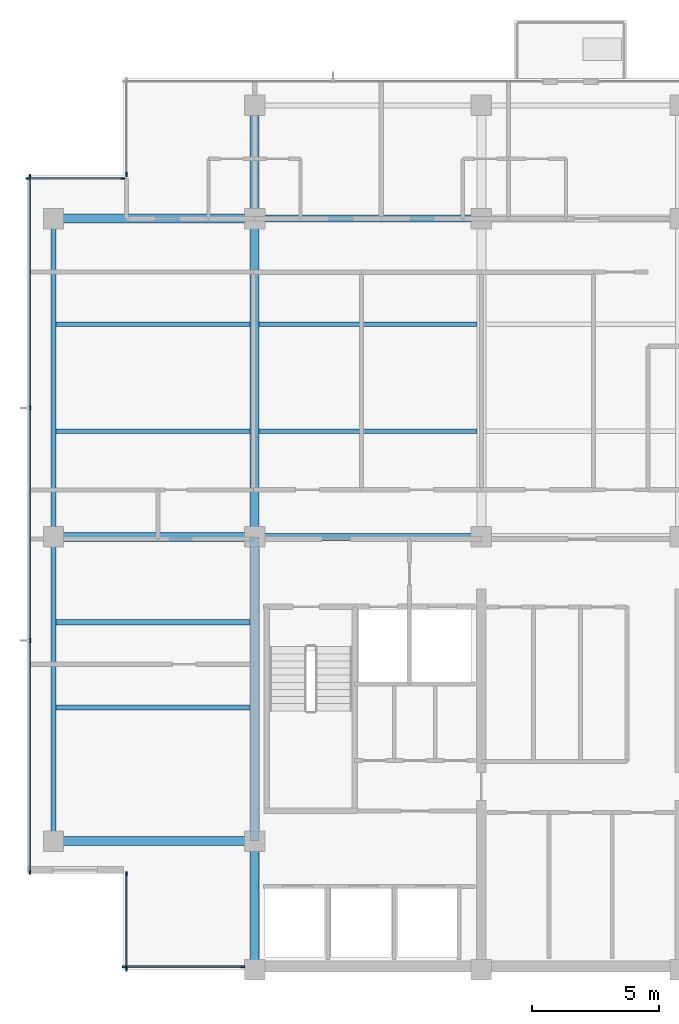
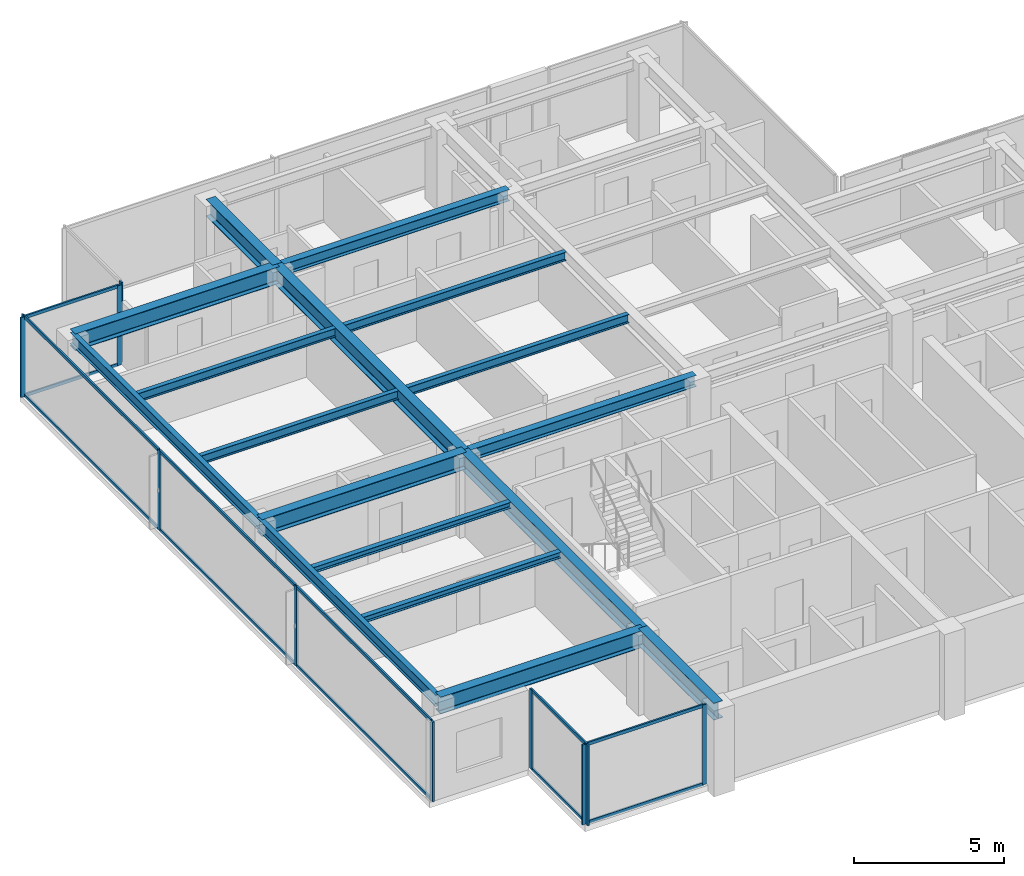
# One storey, part 2 of 12: 23 members, 17 beams, 5 elements without a shape of their own.
"""IFC4 building model written with IfcOpenShell, lengths in metres."""

from ifc_helpers import new_model, si_unit, direction, frame, origin, origin_2d, place, context, subcontext, project, spatial, rectangle, i_section, extrude, material, layer, layer_set, material_profile, profile_set, type_object, element, aggregate, save


model = new_model("IFC4")

# Units and contexts
model_context = context("Model", 3, precision=1e-05, world=origin(), true_north=direction((0.0, 1.0)))
body_context = subcontext(model_context, "Body", "Model", "MODEL_VIEW")
ifc_project = project(units=[si_unit("LENGTHUNIT", "METRE"), si_unit("AREAUNIT", "SQUARE_METRE"), si_unit("VOLUMEUNIT", "CUBIC_METRE"), si_unit("PLANEANGLEUNIT", "RADIAN"), si_unit("MASSUNIT", "GRAM", prefix="KILO")], contexts=[model_context])

# Site, building, storey
site_placement = place(None, origin())
site = spatial("IfcSite", under=ifc_project, at=site_placement, CompositionType="ELEMENT")
building_placement = place(site_placement, origin())
building = spatial("IfcBuilding", under=site, at=building_placement, Name="Qalmaran Belvedere Hotel", CompositionType="ELEMENT")
storey_placement = place(building_placement, frame((0.0, 0.0, 252.89990234375)))
storey = spatial("IfcBuildingStorey", under=building, at=storey_placement, Name="L65", CompositionType="ELEMENT", Elevation=252.89990234375)

# Beams
ifc_material_1 = material(Name="Steel S355JR", Category="steel")
ifc_material_profile_1 = material_profile(ifc_material_1, i_section(OverallWidth=0.201904296875, OverallDepth=0.2470703125, WebThickness=0.00732421875, FlangeThickness=0.010986328125, FilletRadius=0.011962890625, at=origin_2d()), Name="W250X49")
ifc_profile_set_1 = profile_set([ifc_material_profile_1], Name="Steel S355JR")
beam_type_1 = type_object("IfcBeamType", Name="BM-JST-W250X49", PredefinedType="JOIST", material=ifc_profile_set_1)
for number, where, z_axis, x_axis, name in (
    (1, (12.493896484375, 13.800048828125, 3.13671875), (1.0, 0.0, 0.0), (0.0, 1.0, 0.0), "L65 West Wing Joist 031"),
    (2, (12.493896484375, 17.14990234375, 3.13671875), (1.0, 0.0, 0.0), (0.0, 1.0, 0.0), "L65 West Wing Joist 033"),
):
    element("IfcBeam", number, at=place(storey_placement, frame(where, z_axis=z_axis, x_axis=x_axis)), inside=storey, type_object=beam_type_1, Name=name, PredefinedType="JOIST", context=body_context, shape_type="SweptSolid", body=[
        extrude(i_section(OverallWidth=0.201904296875, OverallDepth=0.2470703125, WebThickness=0.00732421875, FlangeThickness=0.010986328125, FilletRadius=0.011962890625, at=origin_2d()), origin(), (0.0, 0.0, 1.0), 7.630615234375),
    ])
ifc_material_profile_2 = material_profile(ifc_material_1, i_section(OverallWidth=0.172119140625, OverallDepth=0.35791015625, WebThickness=0.0078125, FlangeThickness=0.01318359375, FilletRadius=0.014892578125, at=origin_2d()), Name="W360X57")
ifc_profile_set_2 = profile_set([ifc_material_profile_2], Name="Steel S355JR")
beam_type_2 = type_object("IfcBeamType", Name="BM-SB4-W360X57", PredefinedType="BEAM", material=ifc_profile_set_2)
beam_1_placement = place(storey_placement, frame((12.493896484375, 24.64990234375, 3.0810546875), z_axis=(1.0, 0.0, 0.0), x_axis=(0.0, 1.0, 0.0)))
element("IfcBeam", 3, at=beam_1_placement, inside=storey, type_object=beam_type_2, Name="L65 West Secondary Beam 024", PredefinedType="BEAM", context=body_context, shape_type="SweptSolid", body=[
    extrude(i_section(OverallWidth=0.172119140625, OverallDepth=0.35791015625, WebThickness=0.0078125, FlangeThickness=0.01318359375, FilletRadius=0.014892578125, at=origin_2d()), origin(), (0.0, 0.0, 1.0), 7.630615234375),
])
beam_2_placement = place(storey_placement, frame((20.4755859375, 24.64990234375, 3.0810546875), z_axis=(1.0, 0.0, 0.0), x_axis=(0.0, 1.0, 0.0)))
element("IfcBeam", 4, at=beam_2_placement, inside=storey, type_object=beam_type_2, Name="L65 Secondary Floor Beam 025", PredefinedType="BEAM", context=body_context, shape_type="SweptSolid", body=[
    extrude(i_section(OverallWidth=0.172119140625, OverallDepth=0.35791015625, WebThickness=0.0078125, FlangeThickness=0.01318359375, FilletRadius=0.014892578125, at=origin_2d()), origin(), (0.0, 0.0, 1.0), 8.548828125),
])
beam_3_placement = place(storey_placement, frame((12.493896484375, 28.85009765625, 3.0810546875), z_axis=(1.0, 0.0, 0.0), x_axis=(0.0, 1.0, 0.0)))
element("IfcBeam", 5, at=beam_3_placement, inside=storey, type_object=beam_type_2, Name="L65 West Secondary Beam 028", PredefinedType="BEAM", context=body_context, shape_type="SweptSolid", body=[
    extrude(i_section(OverallWidth=0.172119140625, OverallDepth=0.35791015625, WebThickness=0.0078125, FlangeThickness=0.01318359375, FilletRadius=0.014892578125, at=origin_2d()), origin(), (0.0, 0.0, 1.0), 7.630615234375),
])
beam_4_placement = place(storey_placement, frame((20.4755859375, 28.85009765625, 3.0810546875), z_axis=(1.0, 0.0, 0.0), x_axis=(0.0, 1.0, 0.0)))
element("IfcBeam", 6, at=beam_4_placement, inside=storey, type_object=beam_type_2, Name="L65 Secondary Floor Beam 029", PredefinedType="BEAM", context=body_context, shape_type="SweptSolid", body=[
    extrude(i_section(OverallWidth=0.172119140625, OverallDepth=0.35791015625, WebThickness=0.0078125, FlangeThickness=0.01318359375, FilletRadius=0.014892578125, at=origin_2d()), origin(), (0.0, 0.0, 1.0), 8.548828125),
])
ifc_material_profile_3 = material_profile(ifc_material_1, i_section(OverallWidth=0.19189453125, OverallDepth=0.462890625, WebThickness=0.010498046875, FlangeThickness=0.017578125, FilletRadius=0.01611328125, at=origin_2d()), Name="W460X89")
ifc_profile_set_3 = profile_set([ifc_material_profile_3], Name="Steel S355JR")
beam_type_3 = type_object("IfcBeamType", Name="BM-SP2-W460X89", PredefinedType="SPANDREL", material=ifc_profile_set_3)
beam_5_placement = place(storey_placement, frame((12.39990234375, 8.550048828125, 3.028564453125), z_axis=(0.0, 1.0, 0.0), x_axis=(-1.0, 0.0, 0.0)))
element("IfcBeam", 7, at=beam_5_placement, inside=storey, type_object=beam_type_3, Name="L65 Perimeter Spandrel 01", PredefinedType="SPANDREL", context=body_context, shape_type="SweptSolid", body=[
    extrude(i_section(OverallWidth=0.19189453125, OverallDepth=0.462890625, WebThickness=0.010498046875, FlangeThickness=0.017578125, FilletRadius=0.01611328125, at=origin_2d()), origin(), (0.0, 0.0, 1.0), 11.949951171875),
])
beam_6_placement = place(storey_placement, frame((12.39990234375, 20.5, 3.028564453125), z_axis=(0.0, 1.0, 0.0), x_axis=(-1.0, 0.0, 0.0)))
element("IfcBeam", 8, at=beam_6_placement, inside=storey, type_object=beam_type_3, Name="L65 Perimeter Spandrel 02", PredefinedType="SPANDREL", context=body_context, shape_type="SweptSolid", body=[
    extrude(i_section(OverallWidth=0.19189453125, OverallDepth=0.462890625, WebThickness=0.010498046875, FlangeThickness=0.017578125, FilletRadius=0.01611328125, at=origin_2d()), origin(), (0.0, 0.0, 1.0), 12.5),
])
ifc_material_profile_4 = material_profile(ifc_material_1, i_section(OverallWidth=0.35498046875, OverallDepth=0.695068359375, WebThickness=0.015380859375, FlangeThickness=0.02490234375, FilletRadius=0.02197265625, at=origin_2d()), Name="W690X217")
ifc_profile_set_4 = profile_set([ifc_material_profile_4], Name="Steel S355JR")
beam_type_4 = type_object("IfcBeamType", Name="BM-Z1-W690X217", PredefinedType="USERDEFINED", material=ifc_profile_set_4)
beam_7_placement = place(storey_placement, frame((20.300048828125, 20.5, 2.91259765625), z_axis=(0.0, 1.0, 0.0), x_axis=(-1.0, 0.0, 0.0)))
element("IfcBeam", 9, at=beam_7_placement, inside=storey, type_object=beam_type_4, Name="L65 Mid-Plate N-S Girder 11", ObjectType="GIRDER", PredefinedType="USERDEFINED", context=body_context, shape_type="SweptSolid", body=[
    extrude(i_section(OverallWidth=0.35498046875, OverallDepth=0.695068359375, WebThickness=0.015380859375, FlangeThickness=0.02490234375, FilletRadius=0.02197265625, at=origin_2d()), origin(), (0.0, 0.0, 1.0), 12.5),
])
beam_8_placement = place(storey_placement, frame((20.300048828125, 33.0, 2.91259765625), z_axis=(0.0, 1.0, 0.0), x_axis=(-1.0, 0.0, 0.0)))
element("IfcBeam", 10, at=beam_8_placement, inside=storey, type_object=beam_type_4, Name="L65 North Bay Girder 12", ObjectType="GIRDER", PredefinedType="USERDEFINED", context=body_context, shape_type="SweptSolid", body=[
    extrude(i_section(OverallWidth=0.35498046875, OverallDepth=0.695068359375, WebThickness=0.015380859375, FlangeThickness=0.02490234375, FilletRadius=0.02197265625, at=origin_2d()), origin(), (0.0, 0.0, 1.0), 4.449951171875),
])
for number, where, z_axis, x_axis, name in (
    (11, (12.39990234375, 8.550048828125, 2.91259765625), (1.0, 0.0, 0.0), (0.0, 1.0, 0.0), "L65 West Wing Girder 19"),
    (12, (12.39990234375, 20.5, 2.91259765625), (1.0, 0.0, 0.0), (0.0, 1.0, 0.0), "L65 West Wing Girder 20"),
    (13, (12.39990234375, 33.0, 2.91259765625), (1.0, 0.0, 0.0), (0.0, 1.0, 0.0), "L65 West Wing Girder 21"),
):
    element("IfcBeam", number, at=place(storey_placement, frame(where, z_axis=z_axis, x_axis=x_axis)), inside=storey, type_object=beam_type_4, Name=name, ObjectType="GIRDER", PredefinedType="USERDEFINED", context=body_context, shape_type="SweptSolid", body=[
        extrude(i_section(OverallWidth=0.35498046875, OverallDepth=0.695068359375, WebThickness=0.015380859375, FlangeThickness=0.02490234375, FilletRadius=0.02197265625, at=origin_2d()), origin(), (0.0, 0.0, 1.0), 7.900146484375),
    ])
beam_9_placement = place(storey_placement, frame((20.300048828125, 3.5, 2.91259765625), z_axis=(0.0, 1.0, 0.0), x_axis=(-1.0, 0.0, 0.0)))
element("IfcBeam", 14, at=beam_9_placement, inside=storey, type_object=beam_type_4, Name="L65 West Core Edge Girder A", ObjectType="GIRDER", PredefinedType="USERDEFINED", context=body_context, shape_type="SweptSolid", body=[
    extrude(i_section(OverallWidth=0.35498046875, OverallDepth=0.695068359375, WebThickness=0.015380859375, FlangeThickness=0.02490234375, FilletRadius=0.02197265625, at=origin_2d()), origin(), (0.0, 0.0, 1.0), 5.050048828125),
])
beam_10_placement = place(storey_placement, frame((20.300048828125, 8.550048828125, 2.91259765625), z_axis=(0.0, 1.0, 0.0), x_axis=(-1.0, 0.0, 0.0)))
element("IfcBeam", 15, at=beam_10_placement, inside=storey, type_object=beam_type_4, Name="L65 West Core Edge Girder B", ObjectType="GIRDER", PredefinedType="USERDEFINED", context=body_context, shape_type="SweptSolid", body=[
    extrude(i_section(OverallWidth=0.35498046875, OverallDepth=0.695068359375, WebThickness=0.015380859375, FlangeThickness=0.02490234375, FilletRadius=0.02197265625, at=origin_2d()), origin(), (0.0, 0.0, 1.0), 11.949951171875),
])
ifc_material_profile_5 = material_profile(ifc_material_1, i_section(OverallWidth=0.280029296875, OverallDepth=0.462890625, WebThickness=0.0107421875, FlangeThickness=0.017333984375, FilletRadius=0.01611328125, at=origin_2d()), Name="W460X113")
ifc_profile_set_5 = profile_set([ifc_material_profile_5], Name="Steel S355JR")
beam_type_5 = type_object("IfcBeamType", Name="BM-Z5-W460X113", PredefinedType="USERDEFINED", material=ifc_profile_set_5)
for number, where, z_axis, x_axis, name in (
    (16, (20.300048828125, 20.5, 3.028564453125), (1.0, 0.0, 0.0), (0.0, 1.0, 0.0), "L65 Interior E-W Girder 06"),
    (17, (20.300048828125, 33.0, 3.028564453125), (1.0, 0.0, 0.0), (0.0, 1.0, 0.0), "L65 Interior E-W Girder 09"),
):
    element("IfcBeam", number, at=place(storey_placement, frame(where, z_axis=z_axis, x_axis=x_axis)), inside=storey, type_object=beam_type_5, Name=name, ObjectType="GIRDER", PredefinedType="USERDEFINED", context=body_context, shape_type="SweptSolid", body=[
        extrude(i_section(OverallWidth=0.280029296875, OverallDepth=0.462890625, WebThickness=0.0107421875, FlangeThickness=0.017333984375, FilletRadius=0.01611328125, at=origin_2d()), origin(), (0.0, 0.0, 1.0), 8.89990234375),
    ])

# Curtain wall, members
ifc_material_2 = material(Name="Anodised Bronze Aluminium", Category="aluminium")
ifc_layer = layer(ifc_material_2, 0.18505859375, Name="Anodised Bronze Aluminium")
ifc_layer_set = layer_set([ifc_layer], Name="Anodised Bronze Aluminium")
curtain_wall_type = type_object("IfcCurtainWallType", Name="CW6-TOWER-SKY", PredefinedType="NOTDEFINED", material=ifc_layer_set)
curtain_wall_1_placement = place(storey_placement, origin())
curtain_wall_1 = element("IfcCurtainWall", 18, at=curtain_wall_1_placement, inside=storey, type_object=curtain_wall_type, Name="L65 Curtain Wall CW6", PredefinedType="NOTDEFINED")
ifc_material_profile_6 = material_profile(ifc_material_2, rectangle(XDim=0.06494140625, YDim=0.1650390625, at=origin_2d()), Name="CWM65X165")
ifc_profile_set_6 = profile_set([ifc_material_profile_6], Name="Anodised Bronze Aluminium")
member_type_1 = type_object("IfcMemberType", Name="CWM-65X165", PredefinedType="MULLION", material=ifc_profile_set_6)
member_1_placement = place(storey_placement, frame((15.1826171875, 3.6201171875, 0.0), z_axis=(0.0, 0.0, 1.0), x_axis=(0.0, 1.0, 0.0)))
member_1 = element("IfcMember", 19, at=member_1_placement, type_object=member_type_1, Name="CW6 mullion 1", PredefinedType="MULLION", context=body_context, shape_type="SweptSolid", body=[
    extrude(rectangle(XDim=0.06494140625, YDim=0.1650390625, at=origin_2d()), origin(), (0.0, 0.0, 1.0), 3.260009765625),
])
member_2_placement = place(storey_placement, frame((19.827392578125, 3.6201171875, 0.0), z_axis=(0.0, 0.0, 1.0), x_axis=(0.0, 1.0, 0.0)))
member_2 = element("IfcMember", 20, at=member_2_placement, type_object=member_type_1, Name="CW6 mullion 2", PredefinedType="MULLION", context=body_context, shape_type="SweptSolid", body=[
    extrude(rectangle(XDim=0.06494140625, YDim=0.1650390625, at=origin_2d()), origin(), (0.0, 0.0, 1.0), 3.260009765625),
])

# Curtain wall, member
curtain_wall_2_placement = place(storey_placement, origin())
curtain_wall_2 = element("IfcCurtainWall", 21, at=curtain_wall_2_placement, inside=storey, type_object=curtain_wall_type, Name="L65 Curtain Wall CW6", PredefinedType="NOTDEFINED")
member_3_placement = place(storey_placement, frame((15.27001953125, 34.732421875, 0.0), z_axis=(0.0, 0.0, 1.0), x_axis=(1.0, 0.0, 0.0)))
member_3 = element("IfcMember", 22, at=member_3_placement, type_object=member_type_1, Name="CW6 mullion 2", PredefinedType="MULLION", context=body_context, shape_type="SweptSolid", body=[
    extrude(rectangle(XDim=0.06494140625, YDim=0.1650390625, at=origin_2d()), origin(), (0.0, 0.0, 1.0), 3.260009765625),
])
aggregate(curtain_wall_2, [member_3])

# Curtain wall, members
curtain_wall_3_placement = place(storey_placement, origin())
curtain_wall_3 = element("IfcCurtainWall", 23, at=curtain_wall_3_placement, inside=storey, type_object=curtain_wall_type, Name="L65 Curtain Wall CW6", PredefinedType="NOTDEFINED")
member_4_placement = place(storey_placement, frame((15.117431640625, 34.580078125, 0.0), z_axis=(0.0, 0.0, 1.0), x_axis=(0.0, -1.0, 0.0)))
member_4 = element("IfcMember", 24, at=member_4_placement, type_object=member_type_1, Name="CW6 mullion 1", PredefinedType="MULLION", context=body_context, shape_type="SweptSolid", body=[
    extrude(rectangle(XDim=0.06494140625, YDim=0.1650390625, at=origin_2d()), origin(), (0.0, 0.0, 1.0), 3.260009765625),
])
member_5_placement = place(storey_placement, frame((11.382568359375, 34.580078125, 0.0), z_axis=(0.0, 0.0, 1.0), x_axis=(0.0, -1.0, 0.0)))
member_5 = element("IfcMember", 25, at=member_5_placement, type_object=member_type_1, Name="CW6 mullion 2", PredefinedType="MULLION", context=body_context, shape_type="SweptSolid", body=[
    extrude(rectangle(XDim=0.06494140625, YDim=0.1650390625, at=origin_2d()), origin(), (0.0, 0.0, 1.0), 3.260009765625),
])

curtain_wall_4_placement = place(storey_placement, origin())
curtain_wall_4 = element("IfcCurtainWall", 26, at=curtain_wall_4_placement, inside=storey, type_object=curtain_wall_type, Name="L65 Curtain Wall CW6", PredefinedType="NOTDEFINED")
member_6_placement = place(storey_placement, frame((11.469970703125, 34.66748046875, 0.0), z_axis=(0.0, 0.0, 1.0), x_axis=(1.0, 0.0, 0.0)))
member_6 = element("IfcMember", 27, at=member_6_placement, type_object=member_type_1, Name="CW6 mullion 1", PredefinedType="MULLION", context=body_context, shape_type="SweptSolid", body=[
    extrude(rectangle(XDim=0.06494140625, YDim=0.1650390625, at=origin_2d()), origin(), (0.0, 0.0, 1.0), 3.260009765625),
])
member_7_placement = place(storey_placement, frame((11.469970703125, 25.566650390625, 0.0), z_axis=(0.0, 0.0, 1.0), x_axis=(1.0, 0.0, 0.0)))
member_7 = element("IfcMember", 28, at=member_7_placement, type_object=member_type_1, Name="CW6 mullion 2", PredefinedType="MULLION", context=body_context, shape_type="SweptSolid", body=[
    extrude(rectangle(XDim=0.06494140625, YDim=0.1650390625, at=origin_2d()), origin(), (0.0, 0.0, 1.0), 3.260009765625),
])
member_8_placement = place(storey_placement, frame((11.469970703125, 16.433349609375, 0.0), z_axis=(0.0, 0.0, 1.0), x_axis=(1.0, 0.0, 0.0)))
member_8 = element("IfcMember", 29, at=member_8_placement, type_object=member_type_1, Name="CW6 mullion 3", PredefinedType="MULLION", context=body_context, shape_type="SweptSolid", body=[
    extrude(rectangle(XDim=0.06494140625, YDim=0.1650390625, at=origin_2d()), origin(), (0.0, 0.0, 1.0), 3.260009765625),
])
member_9_placement = place(storey_placement, frame((11.469970703125, 7.33251953125, 0.0), z_axis=(0.0, 0.0, 1.0), x_axis=(1.0, 0.0, 0.0)))
member_9 = element("IfcMember", 30, at=member_9_placement, type_object=member_type_1, Name="CW6 mullion 4", PredefinedType="MULLION", context=body_context, shape_type="SweptSolid", body=[
    extrude(rectangle(XDim=0.06494140625, YDim=0.1650390625, at=origin_2d()), origin(), (0.0, 0.0, 1.0), 3.260009765625),
])

curtain_wall_5_placement = place(storey_placement, origin())
curtain_wall_5 = element("IfcCurtainWall", 31, at=curtain_wall_5_placement, inside=storey, type_object=curtain_wall_type, Name="L65 Curtain Wall CW6", PredefinedType="NOTDEFINED")
member_10_placement = place(storey_placement, frame((15.27001953125, 7.267578125, 0.0), z_axis=(0.0, 0.0, 1.0), x_axis=(1.0, 0.0, 0.0)))
member_10 = element("IfcMember", 32, at=member_10_placement, type_object=member_type_1, Name="CW6 mullion 1", PredefinedType="MULLION", context=body_context, shape_type="SweptSolid", body=[
    extrude(rectangle(XDim=0.06494140625, YDim=0.1650390625, at=origin_2d()), origin(), (0.0, 0.0, 1.0), 3.260009765625),
])
member_11_placement = place(storey_placement, frame((15.27001953125, 3.532470703125, 0.0), z_axis=(0.0, 0.0, 1.0), x_axis=(1.0, 0.0, 0.0)))
member_11 = element("IfcMember", 33, at=member_11_placement, type_object=member_type_1, Name="CW6 mullion 2", PredefinedType="MULLION", context=body_context, shape_type="SweptSolid", body=[
    extrude(rectangle(XDim=0.06494140625, YDim=0.1650390625, at=origin_2d()), origin(), (0.0, 0.0, 1.0), 3.260009765625),
])

# Member
ifc_material_profile_7 = material_profile(ifc_material_2, rectangle(XDim=0.06494140625, YDim=0.1298828125, at=origin_2d()), Name="CWT65X130")
ifc_profile_set_7 = profile_set([ifc_material_profile_7], Name="Anodised Bronze Aluminium")
member_type_2 = type_object("IfcMemberType", Name="CWT-65X130", PredefinedType="USERDEFINED", material=ifc_profile_set_7)
member_12_placement = place(storey_placement, frame((15.215087890625, 3.6201171875, 0.03271484375), z_axis=(1.0, 0.0, 0.0), x_axis=(0.0, 1.0, 0.0)))
member_12 = element("IfcMember", 34, at=member_12_placement, type_object=member_type_2, Name="CW6 transom 1.1", ObjectType="TRANSOM", PredefinedType="USERDEFINED", context=body_context, shape_type="SweptSolid", body=[
    extrude(rectangle(XDim=0.06494140625, YDim=0.1298828125, at=origin_2d()), origin(), (0.0, 0.0, 1.0), 4.579833984375),
])

member_13_placement = place(storey_placement, frame((15.215087890625, 3.6201171875, 3.2275390625), z_axis=(1.0, 0.0, 0.0), x_axis=(0.0, 1.0, 0.0)))
member_13 = element("IfcMember", 35, at=member_13_placement, type_object=member_type_2, Name="CW6 transom 1.2", ObjectType="TRANSOM", PredefinedType="USERDEFINED", context=body_context, shape_type="SweptSolid", body=[
    extrude(rectangle(XDim=0.06494140625, YDim=0.1298828125, at=origin_2d()), origin(), (0.0, 0.0, 1.0), 4.579833984375),
])

aggregate(curtain_wall_1, [member_1, member_2, member_12, member_13])

member_14_placement = place(storey_placement, frame((15.0849609375, 34.580078125, 0.03271484375), z_axis=(-1.0, 0.0, 0.0), x_axis=(0.0, -1.0, 0.0)))
member_14 = element("IfcMember", 36, at=member_14_placement, type_object=member_type_2, Name="CW6 transom 1.1", ObjectType="TRANSOM", PredefinedType="USERDEFINED", context=body_context, shape_type="SweptSolid", body=[
    extrude(rectangle(XDim=0.06494140625, YDim=0.1298828125, at=origin_2d()), origin(), (0.0, 0.0, 1.0), 3.669921875),
])

member_15_placement = place(storey_placement, frame((15.0849609375, 34.580078125, 3.2275390625), z_axis=(-1.0, 0.0, 0.0), x_axis=(0.0, -1.0, 0.0)))
member_15 = element("IfcMember", 37, at=member_15_placement, type_object=member_type_2, Name="CW6 transom 1.2", ObjectType="TRANSOM", PredefinedType="USERDEFINED", context=body_context, shape_type="SweptSolid", body=[
    extrude(rectangle(XDim=0.06494140625, YDim=0.1298828125, at=origin_2d()), origin(), (0.0, 0.0, 1.0), 3.669921875),
])

aggregate(curtain_wall_3, [member_4, member_5, member_14, member_15])

member_16_placement = place(storey_placement, frame((11.469970703125, 34.635009765625, 0.03271484375), z_axis=(0.0, -1.0, 0.0), x_axis=(1.0, 0.0, 0.0)))
member_16 = element("IfcMember", 38, at=member_16_placement, type_object=member_type_2, Name="CW6 transom 1.1", ObjectType="TRANSOM", PredefinedType="USERDEFINED", context=body_context, shape_type="SweptSolid", body=[
    extrude(rectangle(XDim=0.06494140625, YDim=0.1298828125, at=origin_2d()), origin(), (0.0, 0.0, 1.0), 9.035888671875),
])

member_17_placement = place(storey_placement, frame((11.469970703125, 34.635009765625, 3.2275390625), z_axis=(0.0, -1.0, 0.0), x_axis=(1.0, 0.0, 0.0)))
member_17 = element("IfcMember", 39, at=member_17_placement, type_object=member_type_2, Name="CW6 transom 1.2", ObjectType="TRANSOM", PredefinedType="USERDEFINED", context=body_context, shape_type="SweptSolid", body=[
    extrude(rectangle(XDim=0.06494140625, YDim=0.1298828125, at=origin_2d()), origin(), (0.0, 0.0, 1.0), 9.035888671875),
])

member_18_placement = place(storey_placement, frame((11.469970703125, 25.5341796875, 0.03271484375), z_axis=(0.0, -1.0, 0.0), x_axis=(1.0, 0.0, 0.0)))
member_18 = element("IfcMember", 40, at=member_18_placement, type_object=member_type_2, Name="CW6 transom 2.1", ObjectType="TRANSOM", PredefinedType="USERDEFINED", context=body_context, shape_type="SweptSolid", body=[
    extrude(rectangle(XDim=0.06494140625, YDim=0.1298828125, at=origin_2d()), origin(), (0.0, 0.0, 1.0), 9.068359375),
])

member_19_placement = place(storey_placement, frame((11.469970703125, 25.5341796875, 3.2275390625), z_axis=(0.0, -1.0, 0.0), x_axis=(1.0, 0.0, 0.0)))
member_19 = element("IfcMember", 41, at=member_19_placement, type_object=member_type_2, Name="CW6 transom 2.2", ObjectType="TRANSOM", PredefinedType="USERDEFINED", context=body_context, shape_type="SweptSolid", body=[
    extrude(rectangle(XDim=0.06494140625, YDim=0.1298828125, at=origin_2d()), origin(), (0.0, 0.0, 1.0), 9.068359375),
])

member_20_placement = place(storey_placement, frame((11.469970703125, 16.40087890625, 0.03271484375), z_axis=(0.0, -1.0, 0.0), x_axis=(1.0, 0.0, 0.0)))
member_20 = element("IfcMember", 42, at=member_20_placement, type_object=member_type_2, Name="CW6 transom 3.1", ObjectType="TRANSOM", PredefinedType="USERDEFINED", context=body_context, shape_type="SweptSolid", body=[
    extrude(rectangle(XDim=0.06494140625, YDim=0.1298828125, at=origin_2d()), origin(), (0.0, 0.0, 1.0), 9.035888671875),
])

member_21_placement = place(storey_placement, frame((11.469970703125, 16.40087890625, 3.2275390625), z_axis=(0.0, -1.0, 0.0), x_axis=(1.0, 0.0, 0.0)))
member_21 = element("IfcMember", 43, at=member_21_placement, type_object=member_type_2, Name="CW6 transom 3.2", ObjectType="TRANSOM", PredefinedType="USERDEFINED", context=body_context, shape_type="SweptSolid", body=[
    extrude(rectangle(XDim=0.06494140625, YDim=0.1298828125, at=origin_2d()), origin(), (0.0, 0.0, 1.0), 9.035888671875),
])

aggregate(curtain_wall_4, [member_6, member_7, member_8, member_9, member_16, member_17, member_18, member_19, member_20, member_21])

member_22_placement = place(storey_placement, frame((15.27001953125, 7.235107421875, 0.03271484375), z_axis=(0.0, -1.0, 0.0), x_axis=(1.0, 0.0, 0.0)))
member_22 = element("IfcMember", 44, at=member_22_placement, type_object=member_type_2, Name="CW6 transom 1.1", ObjectType="TRANSOM", PredefinedType="USERDEFINED", context=body_context, shape_type="SweptSolid", body=[
    extrude(rectangle(XDim=0.06494140625, YDim=0.1298828125, at=origin_2d()), origin(), (0.0, 0.0, 1.0), 3.670166015625),
])

member_23_placement = place(storey_placement, frame((15.27001953125, 7.235107421875, 3.2275390625), z_axis=(0.0, -1.0, 0.0), x_axis=(1.0, 0.0, 0.0)))
member_23 = element("IfcMember", 45, at=member_23_placement, type_object=member_type_2, Name="CW6 transom 1.2", ObjectType="TRANSOM", PredefinedType="USERDEFINED", context=body_context, shape_type="SweptSolid", body=[
    extrude(rectangle(XDim=0.06494140625, YDim=0.1298828125, at=origin_2d()), origin(), (0.0, 0.0, 1.0), 3.670166015625),
])

aggregate(curtain_wall_5, [member_10, member_11, member_22, member_23])

save(model, "model.ifc")
